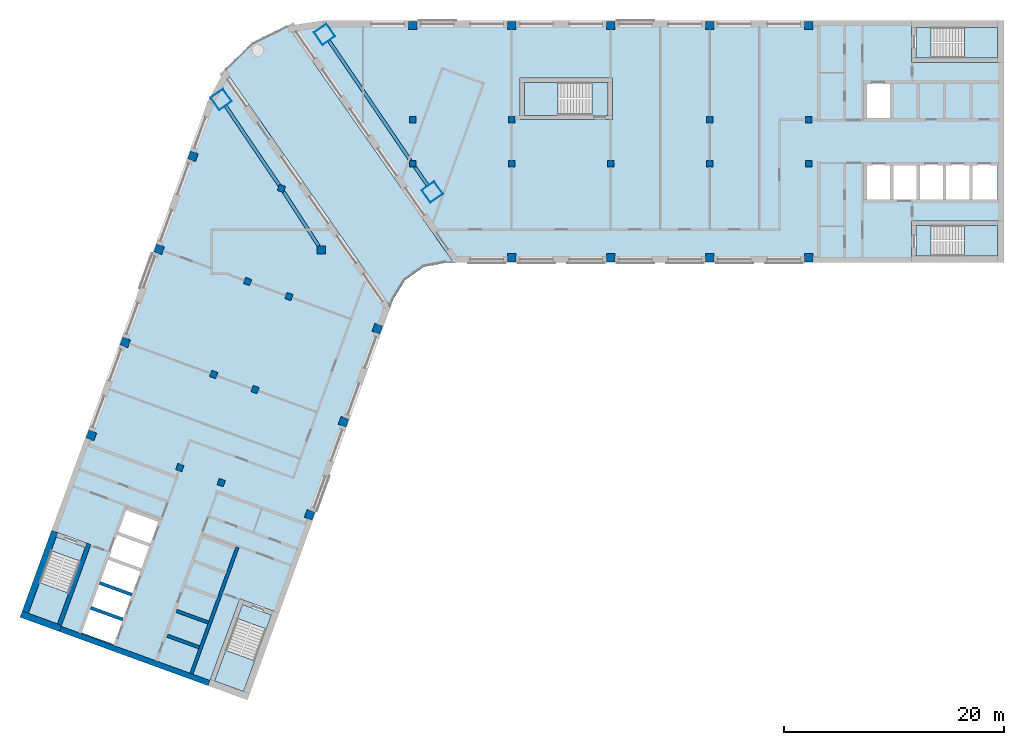
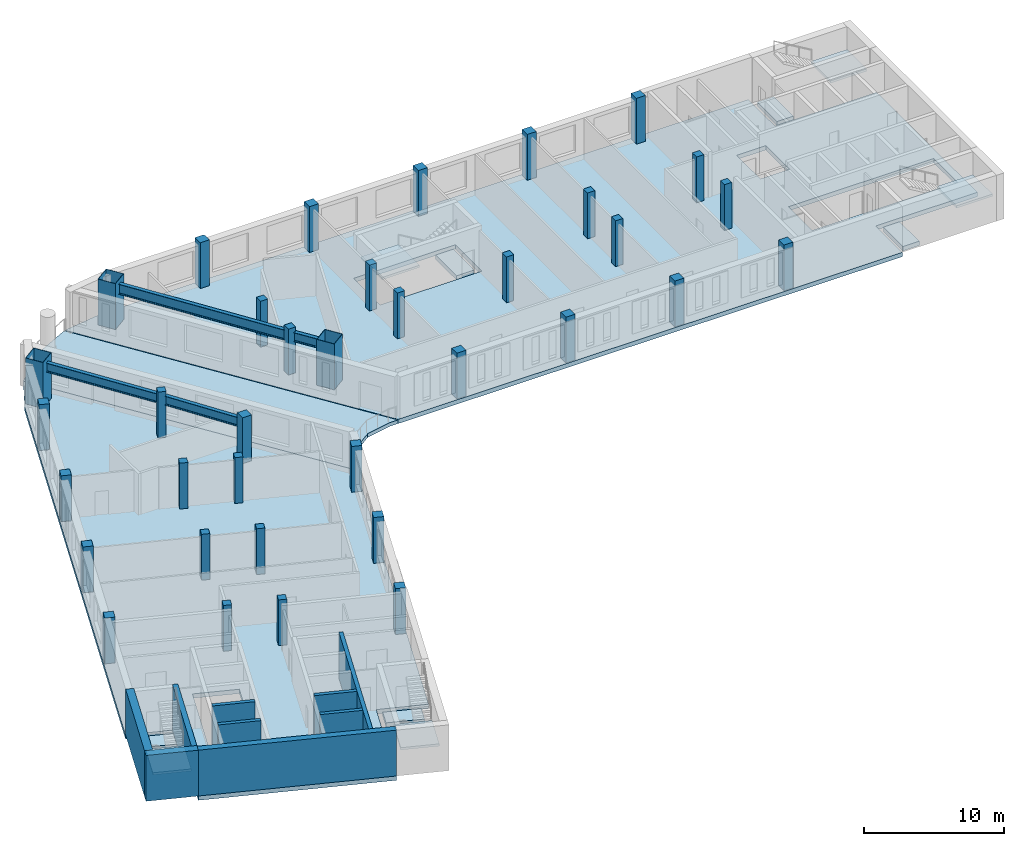
# One storey, part 1 of 11: 36 columns, 13 slabs, 9 walls, 4 beams, 5 elements without a shape of their own.
"""IFC4 building model written with IfcOpenShell, lengths in metres."""

from ifc_helpers import new_model, si_unit, direction, frame, frame_2d, origin, origin_2d, place, context, subcontext, project, spatial, polyline, rectangle, hollow_rectangle, i_section, outline, extrude, material, layer, layer_set, material_profile, profile_set, type_object, element, aggregate, save


model = new_model("IFC4")

# Units and contexts
model_context = context("Model", 3, precision=1e-05, world=origin(), true_north=direction((0.0, 1.0)))
body_context = subcontext(model_context, "Body", "Model", "MODEL_VIEW")
ifc_project = project(units=[si_unit("LENGTHUNIT", "METRE"), si_unit("AREAUNIT", "SQUARE_METRE"), si_unit("VOLUMEUNIT", "CUBIC_METRE"), si_unit("PLANEANGLEUNIT", "RADIAN"), si_unit("MASSUNIT", "GRAM", prefix="KILO")], contexts=[model_context])

# Site, building, storey
site_placement = place(None, origin())
site = spatial("IfcSite", under=ifc_project, at=site_placement, CompositionType="ELEMENT")
building_placement = place(site_placement, origin())
building = spatial("IfcBuilding", under=site, at=building_placement, Name="Skarvind Civic Tower", CompositionType="ELEMENT")
storey_placement = place(building_placement, frame((0.0, 0.0, 212.0)))
storey = spatial("IfcBuildingStorey", under=building, at=storey_placement, Name="L50", CompositionType="ELEMENT", Elevation=212.0)

# Columns
ifc_material_1 = material(Name="Concrete C60", Category="concrete")
ifc_material_profile_1 = material_profile(ifc_material_1, rectangle(XDim=0.60009765625, YDim=0.60009765625, at=origin_2d()), Name="RC-600x600")
ifc_profile_set_1 = profile_set([ifc_material_profile_1], Name="Concrete C60")
column_type_1 = type_object("IfcColumnType", Name="Column RC-600x600 C60", PredefinedType="COLUMN", material=ifc_profile_set_1)
for number, where, z_axis, x_axis, name in (
    (1, (54.25, 130.0, 0.0), (0.0, 0.0, 1.0), (1.0, 0.0, 0.0), "Column wing 1 north inner 02 L50"),
    (2, (63.25, 130.0, 0.0), (0.0, 0.0, 1.0), (1.0, 0.0, 0.0), "Column wing 1 north inner 03 L50"),
    (3, (81.25, 130.0, 0.0), (0.0, 0.0, 1.0), (1.0, 0.0, 0.0), "Column wing 1 north inner 05 L50"),
    (4, (90.25, 130.0, 0.0), (0.0, 0.0, 1.0), (1.0, 0.0, 0.0), "Column wing 1 north inner 06 L50"),
    (5, (54.25, 126.0, 0.0), (0.0, 0.0, 1.0), (1.0, 0.0, 0.0), "Column wing 1 south inner 02 L50"),
    (6, (63.25, 126.0, 0.0), (0.0, 0.0, 1.0), (1.0, 0.0, 0.0), "Column wing 1 south inner 03 L50"),
    (7, (72.25, 126.0, 0.0), (0.0, 0.0, 1.0), (1.0, 0.0, 0.0), "Column wing 1 south inner 04 L50"),
    (8, (81.25, 126.0, 0.0), (0.0, 0.0, 1.0), (1.0, 0.0, 0.0), "Column wing 1 south inner 05 L50"),
    (9, (90.25, 126.0, 0.0), (0.0, 0.0, 1.0), (1.0, 0.0, 0.0), "Column wing 1 south inner 06 L50"),
    (10, (43.005615234375, 113.92529296875, 0.0), (0.0, 0.0, 1.0), (-0.342020143326, -0.939692620786, 0.0), "Column wing 2 left inner 02 L50"),
    (11, (39.927490234375, 105.468017578125, 0.0), (0.0, 0.0, 1.0), (-0.342020143326, -0.939692620786, 0.0), "Column wing 2 left inner 03 L50"),
    (12, (36.84912109375, 97.010986328125, 0.0), (0.0, 0.0, 1.0), (-0.342020143326, -0.939692620786, 0.0), "Column wing 2 left inner 04 L50"),
    (13, (42.324951171875, 123.750732421875, 0.0), (0.0, 0.0, 1.0), (-0.342020143326, -0.939692620786, 0.0), "Column wing 2 right inner 01 L50"),
    (14, (39.246826171875, 115.29345703125, 0.0), (0.0, 0.0, 1.0), (-0.342020143326, -0.939692620786, 0.0), "Column wing 2 right inner 02 L50"),
    (15, (36.168701171875, 106.836181640625, 0.0), (0.0, 0.0, 1.0), (-0.342020143326, -0.939692620786, 0.0), "Column wing 2 right inner 03 L50"),
    (16, (33.090576171875, 98.37890625, 0.0), (0.0, 0.0, 1.0), (-0.342020143326, -0.939692620786, 0.0), "Column wing 2 right inner 04 L50"),
):
    element("IfcColumn", number, at=place(storey_placement, frame(where, z_axis=z_axis, x_axis=x_axis)), inside=storey, type_object=column_type_1, Name=name, PredefinedType="COLUMN", context=body_context, shape_type="SweptSolid", body=[
        extrude(rectangle(XDim=0.60009765625, YDim=0.60009765625, at=origin_2d()), origin(), (0.0, 0.0, 1.0), 4.0),
    ])
ifc_material_profile_2 = material_profile(ifc_material_1, rectangle(XDim=0.75, YDim=0.75, at=origin_2d()), Name="RC-750x750")
ifc_profile_set_2 = profile_set([ifc_material_profile_2], Name="Concrete C60")
column_type_2 = type_object("IfcColumnType", Name="Column RC-750x750 C60", PredefinedType="COLUMN", material=ifc_profile_set_2)
for number, where, z_axis, x_axis, name in (
    (17, (54.25, 138.550048828125, 0.0), (0.0, 0.0, 1.0), (1.0, 0.0, 0.0), "Column wing 1 north perimeter 02 L50"),
    (18, (63.25, 138.550048828125, 0.0), (0.0, 0.0, 1.0), (1.0, 0.0, 0.0), "Column wing 1 north perimeter 03 L50"),
    (19, (72.25, 138.550048828125, 0.0), (0.0, 0.0, 1.0), (1.0, 0.0, 0.0), "Column wing 1 north perimeter 04 L50"),
    (20, (81.25, 138.550048828125, 0.0), (0.0, 0.0, 1.0), (1.0, 0.0, 0.0), "Column wing 1 north perimeter 05 L50"),
    (21, (90.25, 138.550048828125, 0.0), (0.0, 0.0, 1.0), (1.0, 0.0, 0.0), "Column wing 1 north perimeter 06 L50"),
    (22, (45.95166015625, 118.151611328125, 0.0), (0.0, 0.0, 1.0), (1.0, 0.0, 0.0), "Column wing 1 south perimeter 01 L50"),
    (23, (63.25, 117.449951171875, 0.0), (0.0, 0.0, 1.0), (1.0, 0.0, 0.0), "Column wing 1 south perimeter 03 L50"),
    (24, (72.25, 117.449951171875, 0.0), (0.0, 0.0, 1.0), (1.0, 0.0, 0.0), "Column wing 1 south perimeter 04 L50"),
    (25, (81.25, 117.449951171875, 0.0), (0.0, 0.0, 1.0), (1.0, 0.0, 0.0), "Column wing 1 south perimeter 05 L50"),
    (26, (90.25, 117.449951171875, 0.0), (0.0, 0.0, 1.0), (1.0, 0.0, 0.0), "Column wing 1 south perimeter 06 L50"),
    (27, (51.0400390625, 111.0009765625, 0.0), (0.0, 0.0, 1.0), (-0.342020143326, -0.939692620786, 0.0), "Column wing 2 left perimeter 02 L50"),
    (28, (47.961669921875, 102.5439453125, 0.0), (0.0, 0.0, 1.0), (-0.342020143326, -0.939692620786, 0.0), "Column wing 2 left perimeter 03 L50"),
    (29, (44.883544921875, 94.086669921875, 0.0), (0.0, 0.0, 1.0), (-0.342020143326, -0.939692620786, 0.0), "Column wing 2 left perimeter 04 L50"),
    (30, (34.29052734375, 126.6748046875, 0.0), (0.0, 0.0, 1.0), (-0.342020143326, -0.939692620786, 0.0), "Column wing 2 right perimeter 01 L50"),
    (31, (31.21240234375, 118.2177734375, 0.0), (0.0, 0.0, 1.0), (-0.342020143326, -0.939692620786, 0.0), "Column wing 2 right perimeter 02 L50"),
    (32, (28.13427734375, 109.760498046875, 0.0), (0.0, 0.0, 1.0), (-0.342020143326, -0.939692620786, 0.0), "Column wing 2 right perimeter 03 L50"),
    (33, (25.05615234375, 101.30322265625, 0.0), (0.0, 0.0, 1.0), (-0.342020143326, -0.939692620786, 0.0), "Column wing 2 right perimeter 04 L50"),
):
    element("IfcColumn", number, at=place(storey_placement, frame(where, z_axis=z_axis, x_axis=x_axis)), inside=storey, type_object=column_type_2, Name=name, PredefinedType="COLUMN", context=body_context, shape_type="SweptSolid", body=[
        extrude(rectangle(XDim=0.75, YDim=0.75, at=origin_2d()), origin(), (0.0, 0.0, 1.0), 4.0),
    ])
ifc_material_2 = material(Name="Composite concrete-filled steel tube, Steel SM355 with Concrete C60", Category="concrete")
ifc_material_profile_3 = material_profile(ifc_material_2, hollow_rectangle(XDim=1.39990234375, YDim=1.39990234375, WallThickness=0.031982421875, at=origin_2d()), Name="BOX-1400x1400x32")
ifc_profile_set_3 = profile_set([ifc_material_profile_3], Name="Composite concrete-filled steel tube, Steel SM355 with Concrete C60")
column_type_3 = type_object("IfcColumnType", Name="Mega column BOX-1400x1400x32 filled C60", PredefinedType="COLUMN", material=ifc_profile_set_3)
for number, where, z_axis, x_axis, name in (
    (34, (36.845947265625, 131.837646484375, 0.0), (0.0, 0.0, 1.0), (0.573576436351, -0.819152044289, 0.0), "Mega column 1 L50"),
    (35, (46.2470703125, 137.762451171875, 0.0), (0.0, 0.0, 1.0), (0.573576436351, -0.819152044289, 0.0), "Mega column 2 L50"),
    (36, (56.0361328125, 123.43017578125, 0.0), (0.0, 0.0, 1.0), (0.573576436351, -0.819152044289, 0.0), "Mega column 4 L50"),
):
    element("IfcColumn", number, at=place(storey_placement, frame(where, z_axis=z_axis, x_axis=x_axis)), inside=storey, type_object=column_type_3, Name=name, PredefinedType="COLUMN", context=body_context, shape_type="SweptSolid", body=[
        extrude(hollow_rectangle(XDim=1.39990234375, YDim=1.39990234375, WallThickness=0.031982421875, at=origin_2d()), origin(), (0.0, 0.0, 1.0), 4.0),
    ])

# Beams
ifc_material_3 = material(Name="Steel SM355", Category="steel")
ifc_material_profile_4 = material_profile(ifc_material_3, i_section(OverallWidth=0.300048828125, OverallDepth=0.800048828125, WebThickness=0.013916015625, FlangeThickness=0.02587890625, FilletRadius=0.028076171875, at=origin_2d()), Name="H-800x300x14x26")
ifc_profile_set_4 = profile_set([ifc_material_profile_4], Name="Steel SM355")
beam_type_1 = type_object("IfcBeamType", Name="Portal edge beam H-800x300x14x26 SM355", PredefinedType="BEAM", material=ifc_profile_set_4)
beam_1_placement = place(storey_placement, frame((45.708740234375, 118.526611328125, 3.22509765625), z_axis=(-0.543659714905, 0.839305733561, 0.0), x_axis=(-0.839305733561, -0.543659714905, 0.0)))
element("IfcBeam", 37, at=beam_1_placement, inside=storey, type_object=beam_type_1, Name="Portal edge beam L51 A10", PredefinedType="BEAM", context=body_context, shape_type="SweptSolid", body=[
    extrude(i_section(OverallWidth=0.300048828125, OverallDepth=0.800048828125, WebThickness=0.013916015625, FlangeThickness=0.02587890625, FilletRadius=0.028076171875, at=origin_2d()), origin(), (0.0, 0.0, 1.0), 5.84814453125),
])
beam_2_placement = place(storey_placement, frame((42.117431640625, 124.05712890625, 3.22509765625), z_axis=(-0.560896553685, 0.827885895558, 0.0), x_axis=(-0.827885895558, -0.560896553685, 0.0)))
element("IfcBeam", 38, at=beam_2_placement, inside=storey, type_object=beam_type_1, Name="Portal edge beam L51 A11", PredefinedType="BEAM", context=body_context, shape_type="SweptSolid", body=[
    extrude(i_section(OverallWidth=0.300048828125, OverallDepth=0.800048828125, WebThickness=0.013916015625, FlangeThickness=0.02587890625, FilletRadius=0.028076171875, at=origin_2d()), origin(), (0.0, 0.0, 1.0), 8.697998046875),
])
beam_3_placement = place(storey_placement, frame((55.63671875, 124.0048828125, 3.22509765625), z_axis=(-0.570752585852, 0.821122089426, 0.0), x_axis=(-0.821122089426, -0.570752585852, 0.0)))
element("IfcBeam", 39, at=beam_3_placement, inside=storey, type_object=beam_type_1, Name="Portal edge beam L51 B12", PredefinedType="BEAM", context=body_context, shape_type="SweptSolid", body=[
    extrude(i_section(OverallWidth=0.300048828125, OverallDepth=0.800048828125, WebThickness=0.013916015625, FlangeThickness=0.02587890625, FilletRadius=0.028076171875, at=origin_2d()), origin(), (0.0, 0.0, 1.0), 2.064453125),
])
ifc_material_profile_5 = material_profile(ifc_material_3, i_section(OverallWidth=0.300048828125, OverallDepth=0.89990234375, WebThickness=0.01611328125, FlangeThickness=0.028076171875, FilletRadius=0.028076171875, at=origin_2d()), Name="H-900x300x16x28")
ifc_profile_set_5 = profile_set([ifc_material_profile_5], Name="Steel SM355")
beam_type_2 = type_object("IfcBeamType", Name="Portal edge beam H-900x300x16x28 SM355", PredefinedType="BEAM", material=ifc_profile_set_5)
beam_4_placement = place(storey_placement, frame((54.0458984375, 126.300048828125, 3.175048828125), z_axis=(-0.562529148829, 0.826777452957, 0.0), x_axis=(-0.826777452957, -0.562529148829, 0.0)))
element("IfcBeam", 40, at=beam_4_placement, inside=storey, type_object=beam_type_2, Name="Portal edge beam L51 B13", PredefinedType="BEAM", context=body_context, shape_type="SweptSolid", body=[
    extrude(i_section(OverallWidth=0.300048828125, OverallDepth=0.89990234375, WebThickness=0.01611328125, FlangeThickness=0.028076171875, FilletRadius=0.028076171875, at=origin_2d()), origin(), (0.0, 0.0, 1.0), 13.163818359375),
])

# Slabs
ifc_material_4 = material(Name="Concrete C50", Category="concrete")
ifc_layer_1 = layer(ifc_material_4, 0.375)
ifc_layer_set_1 = layer_set([ifc_layer_1], Name="Floor slab 375 C50")
slab_type_1 = type_object("IfcSlabType", Name="Floor slab 375 C50", PredefinedType="FLOOR", material=ifc_layer_set_1)
slab_1_placement = place(storey_placement, frame((0.0, 0.0, -0.375)))
element("IfcSlab", 41, at=slab_1_placement, inside=storey, type_object=slab_type_1, Name="Floor slab L50 1", PredefinedType="FLOOR", context=body_context, shape_type="SweptSolid", body=[
    extrude(outline(polyline([(108.0, 135.199951171875), (99.60009765625, 135.199951171875), (99.60009765625, 139.0), (46.095458984375, 139.0), (42.90283203125, 138.525146484375), (57.97509765625, 117.0), (99.60009765625, 117.0), (99.60009765625, 120.800048828125), (108.0, 120.800048828125), (108.0, 135.199951171875)]), holes=[polyline([(64.0, 130.0), (64.0, 133.800048828125), (72.39990234375, 133.800048828125), (72.39990234375, 130.0), (64.0, 130.0)]), polyline([(97.800048828125, 126.0), (100.199951171875, 126.0), (102.60009765625, 126.0), (105.0, 126.0), (107.39990234375, 126.0), (107.39990234375, 122.60009765625), (105.0, 122.60009765625), (102.60009765625, 122.60009765625), (100.199951171875, 122.60009765625), (97.800048828125, 122.60009765625), (95.39990234375, 122.60009765625), (95.39990234375, 126.0), (97.800048828125, 126.0)]), polyline([(97.800048828125, 133.39990234375), (97.800048828125, 130.0), (95.39990234375, 130.0), (95.39990234375, 133.39990234375), (97.800048828125, 133.39990234375)])]), origin(), (0.0, 0.0, 1.0), 0.375),
])
slab_2_placement = place(storey_placement, frame((0.0, 0.0, -0.375)))
element("IfcSlab", 42, at=slab_2_placement, inside=storey, type_object=slab_type_1, Name="Floor slab L50 2", PredefinedType="FLOOR", context=body_context, shape_type="SweptSolid", body=[
    extrude(outline(polyline([(36.886474609375, 78.108154296875), (35.664794921875, 78.552734375), (38.53759765625, 86.4462890625), (42.108642578125, 85.146484375), (40.0908203125, 79.602294921875), (40.0908203125, 79.602294921875), (52.240966796875, 112.985107421875), (37.168701171875, 134.51025390625), (35.630615234375, 131.672607421875), (19.41748046875, 87.126708984375), (21.435302734375, 92.6708984375), (25.006103515625, 91.371337890625), (22.13330078125, 83.477783203125), (36.886474609375, 78.108154296875)]), holes=[polyline([(25.671630859375, 87.9365234375), (26.492431640625, 90.19189453125), (27.313232421875, 92.447021484375), (28.134033203125, 94.702392578125), (31.3291015625, 93.53955078125), (30.50830078125, 91.2841796875), (29.6875, 89.029052734375), (28.866455078125, 86.773681640625), (28.866455078125, 86.773681640625), (28.045654296875, 84.5185546875), (27.224853515625, 82.26318359375), (24.02978515625, 83.426025390625), (24.8505859375, 85.681396484375), (25.671630859375, 87.9365234375), (25.671630859375, 87.9365234375)])]), origin(), (0.0, 0.0, 1.0), 0.375),
])
ifc_layer_2 = layer(ifc_material_4, 0.324951171875)
ifc_layer_set_2 = layer_set([ifc_layer_2], Name="Slot and portal deck slab 325 C50")
slab_type_2 = type_object("IfcSlabType", Name="Slot and portal deck slab 325 C50", PredefinedType="FLOOR", material=ifc_layer_set_2)
slab_3_placement = place(storey_placement, frame((0.0, 0.0, -0.375)))
element("IfcSlab", 43, at=slab_3_placement, inside=storey, type_object=slab_type_2, Name="Terrace slab L50 1", PredefinedType="FLOOR", context=body_context, shape_type="SweptSolid", body=[
    extrude(outline(polyline([(57.235107421875, 117.0), (57.97509765625, 117.0), (42.90283203125, 138.525146484375), (42.739501953125, 138.5009765625), (39.6943359375, 137.005615234375), (37.24755859375, 134.6552734375), (37.168701171875, 134.51025390625), (52.240966796875, 112.985107421875), (52.493896484375, 113.68017578125), (53.560791015625, 115.421630859375), (55.23388671875, 116.593017578125), (57.235107421875, 117.0)])), origin(), (0.0, 0.0, 1.0), 0.324951171875),
])
ifc_material_5 = material(Name="Concrete C40/50", Category="concrete")
ifc_layer_3 = layer(ifc_material_5, 0.375)
ifc_layer_set_3 = layer_set([ifc_layer_3], Name="Stair floor landing slab 375")
slab_type_3 = type_object("IfcSlabType", Name="Stair floor landing slab 375", PredefinedType="LANDING", material=ifc_layer_set_3)
slab_4_placement = place(storey_placement, frame((0.0, 0.0, -0.375)))
element("IfcSlab", 44, at=slab_4_placement, inside=storey, type_object=slab_type_3, Name="Stair floor landing", PredefinedType="LANDING", context=body_context, shape_type="SweptSolid", body=[
    extrude(outline(polyline([(101.3505859375, 138.400634765625), (101.3505859375, 135.599365234375), (99.99951171875, 135.599365234375), (99.99951171875, 138.400634765625), (101.3505859375, 138.400634765625)])), origin(), (0.0, 0.0, 1.0), 0.375),
])
slab_5_placement = place(storey_placement, frame((0.0, 0.0, -0.375)))
element("IfcSlab", 45, at=slab_5_placement, inside=storey, type_object=slab_type_3, Name="Stair floor landing", PredefinedType="LANDING", context=body_context, shape_type="SweptSolid", body=[
    extrude(outline(polyline([(101.3505859375, 120.400634765625), (101.3505859375, 117.599365234375), (99.99951171875, 117.599365234375), (99.99951171875, 120.400634765625), (101.3505859375, 120.400634765625)])), origin(), (0.0, 0.0, 1.0), 0.375),
])
slab_6_placement = place(storey_placement, frame((0.0, 0.0, -0.375)))
element("IfcSlab", 46, at=slab_6_placement, inside=storey, type_object=slab_type_3, Name="Stair floor landing", PredefinedType="LANDING", context=body_context, shape_type="SweptSolid", body=[
    extrude(outline(polyline([(40.946533203125, 83.70654296875), (38.314208984375, 84.66455078125), (38.7763671875, 85.934326171875), (41.40869140625, 84.976318359375), (40.946533203125, 83.70654296875)])), origin(), (0.0, 0.0, 1.0), 0.375),
])
slab_7_placement = place(storey_placement, frame((0.0, 0.0, -0.375)))
element("IfcSlab", 47, at=slab_7_placement, inside=storey, type_object=slab_type_3, Name="Stair floor landing", PredefinedType="LANDING", context=body_context, shape_type="SweptSolid", body=[
    extrude(outline(polyline([(24.0322265625, 89.863037109375), (21.39990234375, 90.821044921875), (21.862060546875, 92.090576171875), (24.494384765625, 91.132568359375), (24.0322265625, 89.863037109375)])), origin(), (0.0, 0.0, 1.0), 0.375),
])
slab_8_placement = place(storey_placement, frame((0.0, 0.0, -0.375)))
element("IfcSlab", 48, at=slab_8_placement, inside=storey, type_object=slab_type_3, Name="Stair floor landing", PredefinedType="LANDING", context=body_context, shape_type="SweptSolid", body=[
    extrude(outline(polyline([(70.54931640625, 130.3994140625), (70.54931640625, 133.400634765625), (72.00048828125, 133.400634765625), (72.00048828125, 130.3994140625), (70.54931640625, 130.3994140625)])), origin(), (0.0, 0.0, 1.0), 0.375),
])

# Stair, slab
stair_type_1 = type_object("IfcStairType", Name="Exit stair, half-turn, concrete", PredefinedType="HALF_TURN_STAIR", material=ifc_material_5)
stair_1_placement = place(storey_placement, origin())
stair_1 = element("IfcStair", 49, at=stair_1_placement, inside=storey, type_object=stair_type_1, Name="Exit stair C1S", PredefinedType="HALF_TURN_STAIR")
ifc_layer_4 = layer(ifc_material_5, 0.199951171875)
ifc_layer_set_4 = layer_set([ifc_layer_4], Name="Stair half landing slab")
slab_type_4 = type_object("IfcSlabType", Name="Stair half landing slab", PredefinedType="LANDING", material=ifc_layer_set_4)
slab_9_placement = place(storey_placement, frame((0.0, 0.0, 1.800048828125)))
slab_9 = element("IfcSlab", 50, at=slab_9_placement, type_object=slab_type_4, Name="ST-C1S landing 1", PredefinedType="LANDING", context=body_context, shape_type="SweptSolid", body=[
    extrude(outline(polyline([(104.429443359375, 135.599365234375), (104.429443359375, 138.400634765625), (107.400634765625, 138.400634765625), (107.400634765625, 135.599365234375), (104.429443359375, 135.599365234375)])), origin(), (0.0, 0.0, 1.0), 0.199951171875),
])
aggregate(stair_1, [slab_9])

stair_2_placement = place(storey_placement, origin())
stair_2 = element("IfcStair", 51, at=stair_2_placement, inside=storey, type_object=stair_type_1, Name="Exit stair C1N", PredefinedType="HALF_TURN_STAIR")
slab_10_placement = place(storey_placement, frame((0.0, 0.0, 1.800048828125)))
slab_10 = element("IfcSlab", 52, at=slab_10_placement, type_object=slab_type_4, Name="ST-C1N landing 1", PredefinedType="LANDING", context=body_context, shape_type="SweptSolid", body=[
    extrude(outline(polyline([(104.429443359375, 117.599365234375), (104.429443359375, 120.400634765625), (107.400634765625, 120.400634765625), (107.400634765625, 117.599365234375), (104.429443359375, 117.599365234375)])), origin(), (0.0, 0.0, 1.0), 0.199951171875),
])
aggregate(stair_2, [slab_10])

stair_3_placement = place(storey_placement, origin())
stair_3 = element("IfcStair", 53, at=stair_3_placement, inside=storey, type_object=stair_type_1, Name="Exit stair C2S", PredefinedType="HALF_TURN_STAIR")
slab_11_placement = place(storey_placement, frame((0.0, 0.0, 1.800048828125)))
slab_11 = element("IfcSlab", 54, at=slab_11_placement, type_object=slab_type_4, Name="ST-C2S landing 1", PredefinedType="LANDING", context=body_context, shape_type="SweptSolid", body=[
    extrude(outline(polyline([(37.26123046875, 81.771484375), (39.8935546875, 80.8134765625), (38.87744140625, 78.021484375), (36.2451171875, 78.9794921875), (37.26123046875, 81.771484375)])), origin(), (0.0, 0.0, 1.0), 0.199951171875),
])
aggregate(stair_3, [slab_11])

stair_4_placement = place(storey_placement, origin())
stair_4 = element("IfcStair", 55, at=stair_4_placement, inside=storey, type_object=stair_type_1, Name="Exit stair C2N", PredefinedType="HALF_TURN_STAIR")
slab_12_placement = place(storey_placement, frame((0.0, 0.0, 1.800048828125)))
slab_12 = element("IfcSlab", 56, at=slab_12_placement, type_object=slab_type_4, Name="ST-C2N landing 1", PredefinedType="LANDING", context=body_context, shape_type="SweptSolid", body=[
    extrude(outline(polyline([(20.346923828125, 87.927734375), (22.97900390625, 86.9697265625), (21.962890625, 84.177734375), (19.33056640625, 85.1357421875), (20.346923828125, 87.927734375)])), origin(), (0.0, 0.0, 1.0), 0.199951171875),
])
aggregate(stair_4, [slab_12])

stair_type_2 = type_object("IfcStairType", Name="Exit stair 1450, half-turn, concrete", PredefinedType="HALF_TURN_STAIR", material=ifc_material_5)
stair_5_placement = place(storey_placement, origin())
stair_5 = element("IfcStair", 57, at=stair_5_placement, inside=storey, type_object=stair_type_2, Name="Exit stair CM", PredefinedType="HALF_TURN_STAIR")
slab_13_placement = place(storey_placement, frame((0.0, 0.0, 1.800048828125)))
slab_13 = element("IfcSlab", 58, at=slab_13_placement, type_object=slab_type_4, Name="ST-CM landing 1", PredefinedType="LANDING", context=body_context, shape_type="SweptSolid", body=[
    extrude(outline(polyline([(67.470703125, 133.400634765625), (67.470703125, 130.3994140625), (64.3994140625, 130.3994140625), (64.3994140625, 133.400634765625), (67.470703125, 133.400634765625)])), origin(), (0.0, 0.0, 1.0), 0.199951171875),
])
aggregate(stair_5, [slab_13])

# Walls
ifc_layer_5 = layer(ifc_material_1, 0.300048828125)
ifc_layer_set_5 = layer_set([ifc_layer_5], Name="Core wall 300 C60")
wall_type_1 = type_object("IfcWallType", Name="Core wall 300 C60", PredefinedType="SHEAR", material=ifc_layer_set_5)
wall_1_placement = place(storey_placement, frame((34.144287109375, 79.638427734375, 0.0), z_axis=(0.0, 0.0, 1.0), x_axis=(0.342016684409, 0.939693879721, 0.0)))
element("IfcWall", 59, at=wall_1_placement, inside=storey, type_object=wall_type_1, Name="Core wall C2 south lift row back L50", PredefinedType="SHEAR", context=body_context, shape_type="SweptSolid", body=[
    extrude(rectangle(XDim=12.25, YDim=0.300048828125, at=frame_2d((6.125, 0.0))), origin(), (0.0, 0.0, 1.0), 4.0),
])
wall_2_placement = place(storey_placement, frame((34.8583984375, 82.038818359375, 0.0), z_axis=(0.0, 0.0, 1.0), x_axis=(-0.939689908313, 0.342027595692, 0.0)))
element("IfcWall", 60, at=wall_2_placement, inside=storey, type_object=wall_type_1, Name="Core wall C2 south lift row division 1 L50", PredefinedType="SHEAR", context=body_context, shape_type="SweptSolid", body=[
    extrude(rectangle(XDim=3.10009765625, YDim=0.300048828125, at=frame_2d((1.550048828125, 0.0))), origin(), (0.0, 0.0, 1.0), 4.0),
])
wall_3_placement = place(storey_placement, frame((35.67919921875, 84.294189453125, 0.0), z_axis=(0.0, 0.0, 1.0), x_axis=(-0.939706007505, 0.341983361377, 0.0)))
element("IfcWall", 61, at=wall_3_placement, inside=storey, type_object=wall_type_1, Name="Core wall C2 south lift row division 2 L50", PredefinedType="SHEAR", context=body_context, shape_type="SweptSolid", body=[
    extrude(rectangle(XDim=3.099853515625, YDim=0.300048828125, at=frame_2d((1.5498046875, 0.0))), origin(), (0.0, 0.0, 1.0), 4.0),
])
for number, where, z_axis, x_axis, name in (
    (62, (27.90478515625, 84.56982421875, 0.0), (0.0, 0.0, 1.0), (-0.939689908313, 0.342027595692, 0.0), "Core wall C2 north lift row division 1 L50"),
    (63, (28.7255859375, 86.824951171875, 0.0), (0.0, 0.0, 1.0), (-0.939689908313, 0.342027595692, 0.0), "Core wall C2 north lift row division 2 L50"),
):
    element("IfcWall", number, at=place(storey_placement, frame(where, z_axis=z_axis, x_axis=x_axis)), inside=storey, type_object=wall_type_1, Name=name, PredefinedType="SHEAR", context=body_context, shape_type="SweptSolid", body=[
        extrude(rectangle(XDim=3.10009765625, YDim=0.300048828125, at=frame_2d((1.550048828125, 0.0))), origin(), (0.0, 0.0, 1.0), 4.0),
    ])
ifc_layer_6 = layer(ifc_material_1, 0.39990234375)
ifc_layer_set_6 = layer_set([ifc_layer_6], Name="Core wall 400 C60")
wall_type_2 = type_object("IfcWallType", Name="Core wall 400 C60", PredefinedType="SHEAR", material=ifc_layer_set_6)
wall_4_placement = place(storey_placement, frame((22.150390625, 84.110107421875, 0.0), z_axis=(0.0, 0.0, 1.0), x_axis=(0.342016982193, 0.939693771338, 0.0)))
element("IfcWall", 64, at=wall_4_placement, inside=storey, type_object=wall_type_2, Name="Core wall C2 north stair inner L50", PredefinedType="SHEAR", context=body_context, shape_type="SweptSolid", body=[
    extrude(rectangle(XDim=7.800048828125, YDim=0.39990234375, at=frame_2d((3.89990234375, 0.0))), origin(), (0.0, 0.0, 1.0), 4.0),
])
ifc_layer_7 = layer(ifc_material_1, 0.5)
ifc_layer_set_7 = layer_set([ifc_layer_7], Name="Core wall 500 C60")
wall_type_3 = type_object("IfcWallType", Name="Core wall 500 C60", PredefinedType="SHEAR", material=ifc_layer_set_7)
wall_5_placement = place(storey_placement, frame((35.750244140625, 78.787841796875, 0.0), z_axis=(0.0, 0.0, 1.0), x_axis=(-0.939692894512, 0.342019391267, 0.0)))
element("IfcWall", 65, at=wall_5_placement, inside=storey, type_object=wall_type_3, Name="Core wall C2 tip between the stairs L50", PredefinedType="SHEAR", context=body_context, shape_type="SweptSolid", body=[
    extrude(rectangle(XDim=14.39990234375, YDim=0.5, at=frame_2d((7.199951171875, 0.0))), origin(), (0.0, 0.0, 1.0), 4.0),
])
ifc_layer_8 = layer(ifc_material_1, 0.60009765625)
ifc_layer_set_8 = layer_set([ifc_layer_8], Name="Core wall 600 C60")
wall_type_4 = type_object("IfcWallType", Name="Core wall 600 C60", PredefinedType="SHEAR", material=ifc_layer_set_8)
wall_6_placement = place(storey_placement, frame((22.23583984375, 83.759765625, 0.0), z_axis=(0.0, 0.0, 1.0), x_axis=(-0.939680822529, 0.342052557032, 0.0)))
element("IfcWall", 66, at=wall_6_placement, inside=storey, type_object=wall_type_4, Name="Core wall C2 tip at the north stair L50", PredefinedType="SHEAR", context=body_context, shape_type="SweptSolid", body=[
    extrude(rectangle(XDim=3.800048828125, YDim=0.60009765625, at=frame_2d((1.89990234375, 0.0))), origin(), (0.0, 0.0, 1.0), 4.0),
])
wall_7_placement = place(storey_placement, frame((19.049560546875, 85.23876953125, 0.0), z_axis=(0.0, 0.0, 1.0), x_axis=(0.342016982193, 0.939693771338, 0.0)))
element("IfcWall", 67, at=wall_7_placement, inside=storey, type_object=wall_type_4, Name="Core wall C2 north side at the stair L50", PredefinedType="SHEAR", context=body_context, shape_type="SweptSolid", body=[
    extrude(rectangle(XDim=7.800048828125, YDim=0.60009765625, at=frame_2d((3.89990234375, 0.0))), origin(), (0.0, 0.0, 1.0), 4.0),
])

save(model, "model.ifc")
